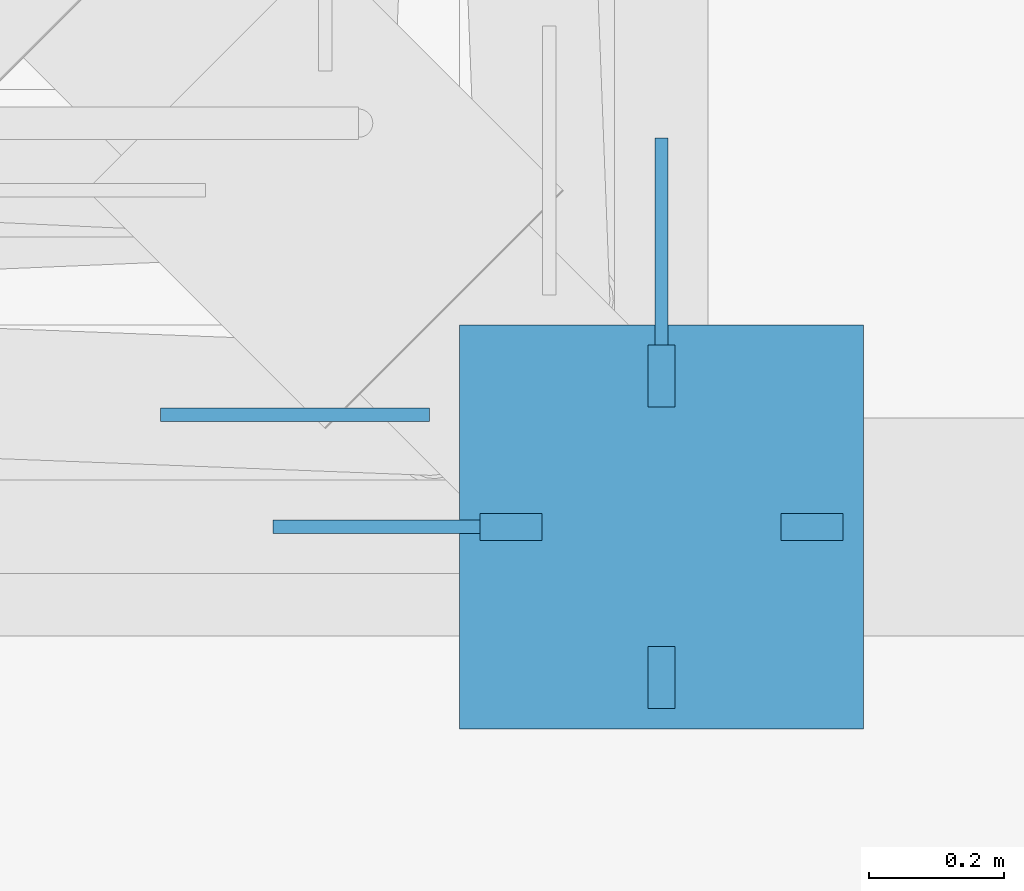
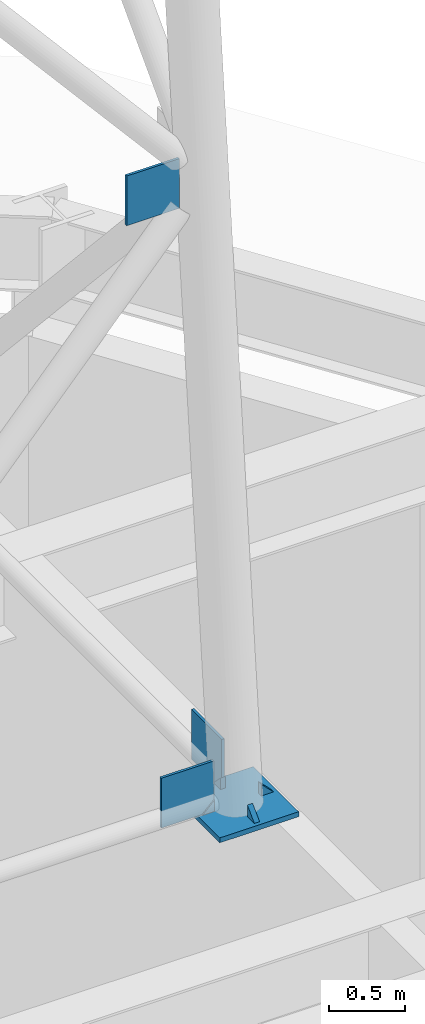
# One storey, part 7 of 15: 8 discrete accessories.
"""IFC4 building model written with IfcOpenShell, lengths in metres."""

from ifc_helpers import new_model, si_unit, direction, frame, origin, origin_2d, place, context, subcontext, project, spatial, polyline, rectangle, outline, extrude, material, layer, layer_set, material_profile, profile_set, type_object, element, save


model = new_model("IFC4")

# Units and contexts
model_context = context("Model", 3, precision=1e-05, world=origin(), true_north=direction((0.0, 1.0)))
body_context = subcontext(model_context, "Body", "Model", "MODEL_VIEW")
ifc_project = project(units=[si_unit("LENGTHUNIT", "METRE"), si_unit("AREAUNIT", "SQUARE_METRE"), si_unit("VOLUMEUNIT", "CUBIC_METRE"), si_unit("PLANEANGLEUNIT", "RADIAN"), si_unit("MASSUNIT", "GRAM", prefix="KILO")], contexts=[model_context])

# Site, building, storey
site_placement = place(None, origin())
site = spatial("IfcSite", under=ifc_project, at=site_placement, CompositionType="ELEMENT")
building_placement = place(site_placement, origin())
building = spatial("IfcBuilding", under=site, at=building_placement, Name="Immortelle Media Tower", CompositionType="ELEMENT")
storey_placement = place(building_placement, frame((0.0, 0.0, 308.0)))
storey = spatial("IfcBuildingStorey", under=building, at=storey_placement, Name="Roof", CompositionType="ELEMENT", Elevation=308.0)

# Discrete accessories
ifc_material_1 = material(Name="Structural steel S355J2 plate", Category="steel")
ifc_layer = layer(ifc_material_1, 0.0400390625)
ifc_layer_set = layer_set([ifc_layer], Name="Structural steel S355J2 plate")
discrete_accessory_type_1 = type_object("IfcDiscreteAccessoryType", Name="MAST base plate 600 x 600 x 40", PredefinedType="ANCHORPLATE", material=ifc_layer_set)
discrete_accessory_placement = place(storey_placement, frame((14.39990234375, 9.60009765625, 12.949951171875), z_axis=(0.0, 0.0, 1.0), x_axis=(1.0, 0.0, 0.0)))
element("IfcDiscreteAccessory", 1, at=discrete_accessory_placement, inside=storey, type_object=discrete_accessory_type_1, Name="MAST base plate B", PredefinedType="ANCHORPLATE", context=body_context, shape_type="SweptSolid", body=[
    extrude(rectangle(XDim=0.60009765625, YDim=0.60009765625, at=origin_2d()), origin(), (0.0, 0.0, 1.0), 0.0400390625),
])
ifc_material_2 = material(Name="Steel ASTM A572 Gr 50", Category="steel")
ifc_material_profile_1 = material_profile(ifc_material_2, rectangle(XDim=0.02001953125, YDim=0.39990234375, at=origin_2d()), Name="PL 20 x 400")
ifc_profile_set_1 = profile_set([ifc_material_profile_1], Name="Steel ASTM A572 Gr 50")
discrete_accessory_type_2 = type_object("IfcDiscreteAccessoryType", Name="Node plate GP4 400 x 400 x 20", PredefinedType="USERDEFINED", material=ifc_profile_set_1)
for number, where, z_axis, x_axis, name in (
    (2, (14.22216796875, 9.60009765625, 13.18994140625), (-1.0, 0.0, 0.0), (0.0, -1.0, 0.0), "Node plate GP4, leg B, face 1, node 1"),
    (3, (14.055419921875, 9.7666015625, 17.989990234375), (-1.0, 0.0, 0.0), (0.0, -1.0, 0.0), "Node plate GP4, leg B, face 1, node 2"),
    (4, (14.39990234375, 9.77783203125, 13.18994140625), (0.0, 1.0, 0.0), (-1.0, 0.0, 0.0), "Node plate GP4, leg B, face 2, node 1"),
):
    element("IfcDiscreteAccessory", number, at=place(storey_placement, frame(where, z_axis=z_axis, x_axis=x_axis)), inside=storey, type_object=discrete_accessory_type_2, Name=name, ObjectType="NODE PLATE", PredefinedType="USERDEFINED", context=body_context, shape_type="SweptSolid", body=[
        extrude(rectangle(XDim=0.02001953125, YDim=0.39990234375, at=origin_2d()), origin(), (0.0, 0.0, 1.0), 0.39990234375),
    ])
ifc_material_profile_2 = material_profile(ifc_material_2, outline(polyline([(-0.177734375, 0.0), (-0.177734375, 0.09228515625), (-0.27001953125, 0.0), (-0.177734375, 0.0)])), Name="PL 40 x 92")
ifc_profile_set_2 = profile_set([ifc_material_profile_2], Name="Steel ASTM A572 Gr 50")
discrete_accessory_type_3 = type_object("IfcDiscreteAccessoryType", Name="Stiffener plate BSP1 92 x 92 x 40", PredefinedType="USERDEFINED", material=ifc_profile_set_2)
for number, where, z_axis, x_axis, name in (
    (5, (14.39990234375, 9.580078125, 12.989990234375), (0.0, 1.0, 0.0), (-1.0, 0.0, 0.0), "Stiffener plate BSP1, leg B, 1"),
    (6, (14.419921875, 9.60009765625, 12.989990234375), (-1.0, 0.0, 0.0), (0.0, -1.0, 0.0), "Stiffener plate BSP1, leg B, 2"),
    (7, (14.39990234375, 9.6201171875, 12.989990234375), (0.0, -1.0, 0.0), (1.0, 0.0, 0.0), "Stiffener plate BSP1, leg B, 3"),
    (8, (14.3798828125, 9.60009765625, 12.989990234375), (1.0, 0.0, 0.0), (0.0, 1.0, 0.0), "Stiffener plate BSP1, leg B, 4"),
):
    element("IfcDiscreteAccessory", number, at=place(storey_placement, frame(where, z_axis=z_axis, x_axis=x_axis)), inside=storey, type_object=discrete_accessory_type_3, Name=name, ObjectType="STIFFENER PLATE", PredefinedType="USERDEFINED", context=body_context, shape_type="SweptSolid", body=[
        extrude(outline(polyline([(-0.177734375, 0.0), (-0.177734375, 0.09228515625), (-0.27001953125, 0.0), (-0.177734375, 0.0)])), origin(), (0.0, 0.0, 1.0), 0.0400390625),
    ])

save(model, "model.ifc")
